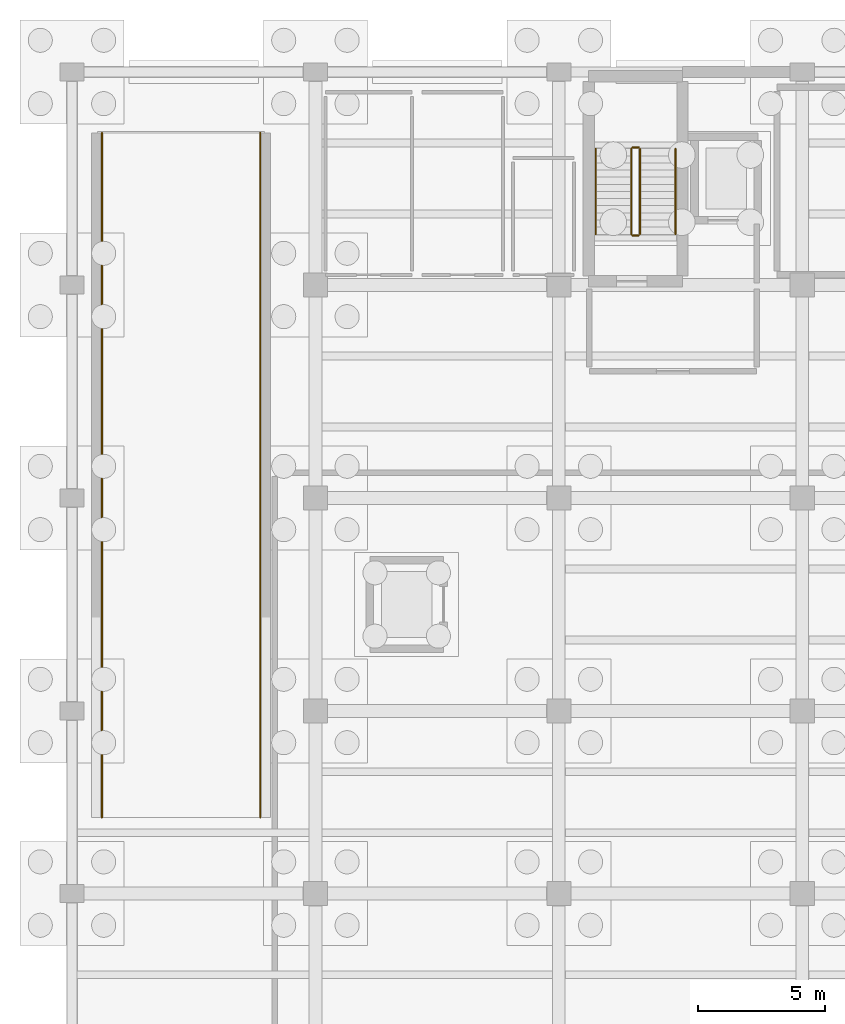
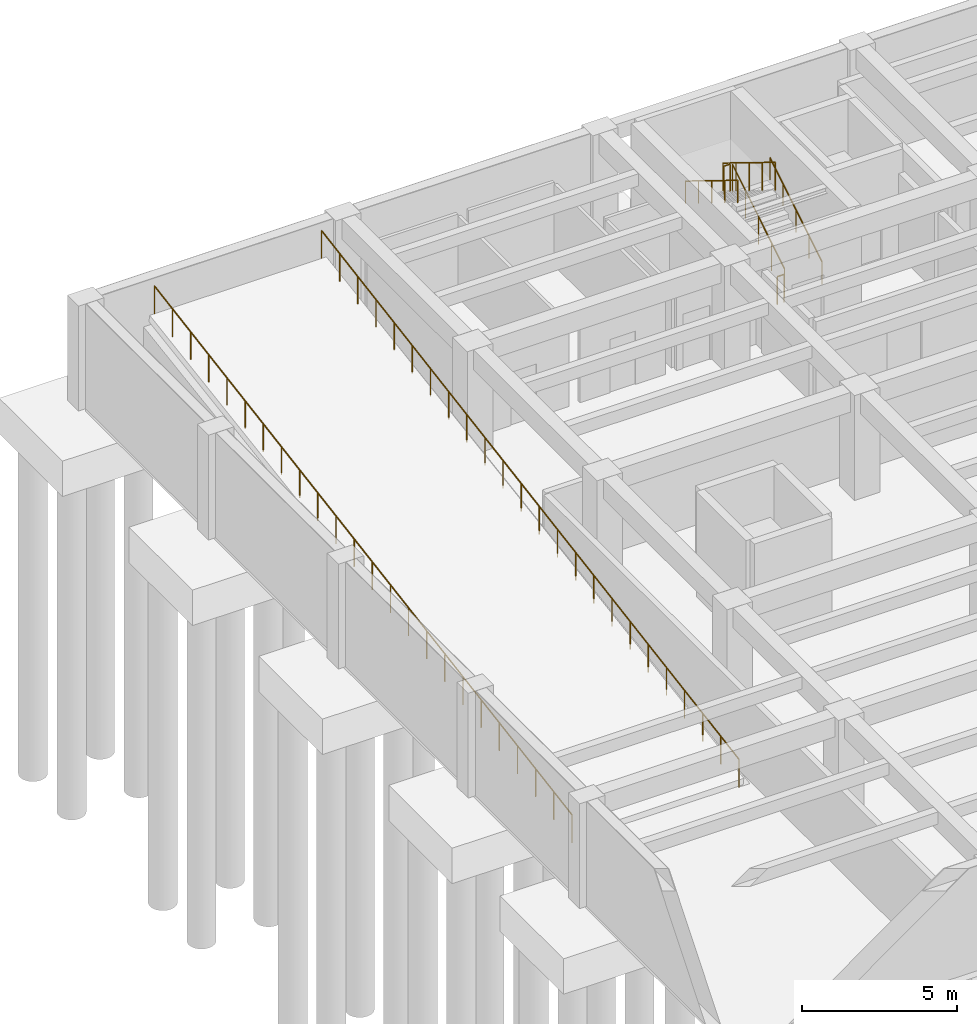
# One storey, part 6 of 8: 8 railings.
"""IFC4 building model written with IfcOpenShell, lengths in metres."""

from ifc_helpers import new_model, si_unit, direction, frame, origin, origin_2d, place, context, subcontext, project, spatial, circle, extrude, material, type_object, element, save


model = new_model("IFC4")

# Units and contexts
model_context = context("Model", 3, precision=1e-05, world=origin(), true_north=direction((0.0, 1.0)))
body_context = subcontext(model_context, "Body", "Model", "MODEL_VIEW")
ifc_project = project(units=[si_unit("LENGTHUNIT", "METRE"), si_unit("AREAUNIT", "SQUARE_METRE"), si_unit("VOLUMEUNIT", "CUBIC_METRE"), si_unit("PLANEANGLEUNIT", "RADIAN"), si_unit("MASSUNIT", "GRAM", prefix="KILO")], contexts=[model_context])

# Site, building, storey
site_placement = place(None, origin())
site = spatial("IfcSite", under=ifc_project, at=site_placement, CompositionType="ELEMENT")
building_placement = place(site_placement, origin())
building = spatial("IfcBuilding", under=site, at=building_placement, Name="Bempovik Park Faculty of Sciences", CompositionType="ELEMENT")
storey_placement = place(building_placement, frame((0.0, 0.0, -4.5)))
storey = spatial("IfcBuildingStorey", under=building, at=storey_placement, Name="B1", CompositionType="ELEMENT", Elevation=-4.5)

# Railings
ifc_material = material(Name="Anodised architectural bronze")
railing_type_1 = type_object("IfcRailingType", Name="GR-01 Guardrail 1120mm", PredefinedType="GUARDRAIL", material=ifc_material)
railing_1_placement = place(storey_placement, frame((51.580078125, 90.0, 0.0)))
element("IfcRailing", 1, at=railing_1_placement, inside=storey, type_object=railing_type_1, Name="Basement Vehicle Ramp West Guardrail", PredefinedType="GUARDRAIL", context=body_context, shape_type="SweptSolid", body=[
    extrude(circle(Radius=0.02392578125, at=origin_2d()), frame((0.0, 0.0, 1.09619140625), z_axis=(0.0, 0.986393923832, 0.164398987305), x_axis=(-1.0, 0.0, 0.0)), (0.0, 0.0, 1.0), 27.372314453125),
    extrude(circle(Radius=0.02099609375, at=origin_2d()), origin(), (0.0, 0.0, 1.0), 1.072021484375),
    extrude(circle(Radius=0.02099609375, at=origin_2d()), frame((0.0, 1.173828125, 0.195556640625)), (0.0, 0.0, 1.0), 1.072021484375),
    extrude(circle(Radius=0.02099609375, at=origin_2d()), frame((0.0, 2.347900390625, 0.391357421875)), (0.0, 0.0, 1.0), 1.072021484375),
    extrude(circle(Radius=0.02099609375, at=origin_2d()), frame((0.0, 3.521728515625, 0.5869140625)), (0.0, 0.0, 1.0), 1.072021484375),
    extrude(circle(Radius=0.02099609375, at=origin_2d()), frame((0.0, 4.695556640625, 0.78271484375)), (0.0, 0.0, 1.0), 1.072021484375),
    extrude(circle(Radius=0.02099609375, at=origin_2d()), frame((0.0, 5.86962890625, 0.978271484375)), (0.0, 0.0, 1.0), 1.072021484375),
    extrude(circle(Radius=0.02099609375, at=origin_2d()), frame((0.0, 7.04345703125, 1.173828125)), (0.0, 0.0, 1.0), 1.072021484375),
    extrude(circle(Radius=0.02099609375, at=origin_2d()), frame((0.0, 8.21728515625, 1.36962890625)), (0.0, 0.0, 1.0), 1.072021484375),
    extrude(circle(Radius=0.02099609375, at=origin_2d()), frame((0.0, 9.391357421875, 1.565185546875)), (0.0, 0.0, 1.0), 1.072021484375),
    extrude(circle(Radius=0.02099609375, at=origin_2d()), frame((0.0, 10.565185546875, 1.760986328125)), (0.0, 0.0, 1.0), 1.072021484375),
    extrude(circle(Radius=0.02099609375, at=origin_2d()), frame((0.0, 11.739013671875, 1.95654296875)), (0.0, 0.0, 1.0), 1.072021484375),
    extrude(circle(Radius=0.02099609375, at=origin_2d()), frame((0.0, 12.9130859375, 2.152099609375)), (0.0, 0.0, 1.0), 1.072021484375),
    extrude(circle(Radius=0.02099609375, at=origin_2d()), frame((0.0, 14.0869140625, 2.347900390625)), (0.0, 0.0, 1.0), 1.072021484375),
    extrude(circle(Radius=0.02099609375, at=origin_2d()), frame((0.0, 15.260986328125, 2.54345703125)), (0.0, 0.0, 1.0), 1.072021484375),
    extrude(circle(Radius=0.02099609375, at=origin_2d()), frame((0.0, 16.434814453125, 2.739013671875)), (0.0, 0.0, 1.0), 1.072021484375),
    extrude(circle(Radius=0.02099609375, at=origin_2d()), frame((0.0, 17.608642578125, 2.934814453125)), (0.0, 0.0, 1.0), 1.072021484375),
    extrude(circle(Radius=0.02099609375, at=origin_2d()), frame((0.0, 18.78271484375, 3.13037109375)), (0.0, 0.0, 1.0), 1.072021484375),
    extrude(circle(Radius=0.02099609375, at=origin_2d()), frame((0.0, 19.95654296875, 3.326171875)), (0.0, 0.0, 1.0), 1.072021484375),
    extrude(circle(Radius=0.02099609375, at=origin_2d()), frame((0.0, 21.13037109375, 3.521728515625)), (0.0, 0.0, 1.0), 1.072021484375),
    extrude(circle(Radius=0.02099609375, at=origin_2d()), frame((0.0, 22.304443359375, 3.71728515625)), (0.0, 0.0, 1.0), 1.072021484375),
    extrude(circle(Radius=0.02099609375, at=origin_2d()), frame((0.0, 23.478271484375, 3.9130859375)), (0.0, 0.0, 1.0), 1.072021484375),
    extrude(circle(Radius=0.02099609375, at=origin_2d()), frame((0.0, 24.652099609375, 4.108642578125)), (0.0, 0.0, 1.0), 1.072021484375),
    extrude(circle(Radius=0.02099609375, at=origin_2d()), frame((0.0, 25.826171875, 4.304443359375)), (0.0, 0.0, 1.0), 1.072021484375),
    extrude(circle(Radius=0.02099609375, at=origin_2d()), frame((0.0, 27.0, 4.5)), (0.0, 0.0, 1.0), 1.072021484375),
])
railing_2_placement = place(storey_placement, frame((57.820068359375, 90.0, 0.0)))
element("IfcRailing", 2, at=railing_2_placement, inside=storey, type_object=railing_type_1, Name="Basement Vehicle Ramp East Guardrail", PredefinedType="GUARDRAIL", context=body_context, shape_type="SweptSolid", body=[
    extrude(circle(Radius=0.02392578125, at=origin_2d()), frame((0.0, 0.0, 1.09619140625), z_axis=(0.0, 0.986393923832, 0.164398987305), x_axis=(-1.0, 0.0, 0.0)), (0.0, 0.0, 1.0), 27.372314453125),
    extrude(circle(Radius=0.02099609375, at=origin_2d()), origin(), (0.0, 0.0, 1.0), 1.072021484375),
    extrude(circle(Radius=0.02099609375, at=origin_2d()), frame((0.0, 1.173828125, 0.195556640625)), (0.0, 0.0, 1.0), 1.072021484375),
    extrude(circle(Radius=0.02099609375, at=origin_2d()), frame((0.0, 2.347900390625, 0.391357421875)), (0.0, 0.0, 1.0), 1.072021484375),
    extrude(circle(Radius=0.02099609375, at=origin_2d()), frame((0.0, 3.521728515625, 0.5869140625)), (0.0, 0.0, 1.0), 1.072021484375),
    extrude(circle(Radius=0.02099609375, at=origin_2d()), frame((0.0, 4.695556640625, 0.78271484375)), (0.0, 0.0, 1.0), 1.072021484375),
    extrude(circle(Radius=0.02099609375, at=origin_2d()), frame((0.0, 5.86962890625, 0.978271484375)), (0.0, 0.0, 1.0), 1.072021484375),
    extrude(circle(Radius=0.02099609375, at=origin_2d()), frame((0.0, 7.04345703125, 1.173828125)), (0.0, 0.0, 1.0), 1.072021484375),
    extrude(circle(Radius=0.02099609375, at=origin_2d()), frame((0.0, 8.21728515625, 1.36962890625)), (0.0, 0.0, 1.0), 1.072021484375),
    extrude(circle(Radius=0.02099609375, at=origin_2d()), frame((0.0, 9.391357421875, 1.565185546875)), (0.0, 0.0, 1.0), 1.072021484375),
    extrude(circle(Radius=0.02099609375, at=origin_2d()), frame((0.0, 10.565185546875, 1.760986328125)), (0.0, 0.0, 1.0), 1.072021484375),
    extrude(circle(Radius=0.02099609375, at=origin_2d()), frame((0.0, 11.739013671875, 1.95654296875)), (0.0, 0.0, 1.0), 1.072021484375),
    extrude(circle(Radius=0.02099609375, at=origin_2d()), frame((0.0, 12.9130859375, 2.152099609375)), (0.0, 0.0, 1.0), 1.072021484375),
    extrude(circle(Radius=0.02099609375, at=origin_2d()), frame((0.0, 14.0869140625, 2.347900390625)), (0.0, 0.0, 1.0), 1.072021484375),
    extrude(circle(Radius=0.02099609375, at=origin_2d()), frame((0.0, 15.260986328125, 2.54345703125)), (0.0, 0.0, 1.0), 1.072021484375),
    extrude(circle(Radius=0.02099609375, at=origin_2d()), frame((0.0, 16.434814453125, 2.739013671875)), (0.0, 0.0, 1.0), 1.072021484375),
    extrude(circle(Radius=0.02099609375, at=origin_2d()), frame((0.0, 17.608642578125, 2.934814453125)), (0.0, 0.0, 1.0), 1.072021484375),
    extrude(circle(Radius=0.02099609375, at=origin_2d()), frame((0.0, 18.78271484375, 3.13037109375)), (0.0, 0.0, 1.0), 1.072021484375),
    extrude(circle(Radius=0.02099609375, at=origin_2d()), frame((0.0, 19.95654296875, 3.326171875)), (0.0, 0.0, 1.0), 1.072021484375),
    extrude(circle(Radius=0.02099609375, at=origin_2d()), frame((0.0, 21.13037109375, 3.521728515625)), (0.0, 0.0, 1.0), 1.072021484375),
    extrude(circle(Radius=0.02099609375, at=origin_2d()), frame((0.0, 22.304443359375, 3.71728515625)), (0.0, 0.0, 1.0), 1.072021484375),
    extrude(circle(Radius=0.02099609375, at=origin_2d()), frame((0.0, 23.478271484375, 3.9130859375)), (0.0, 0.0, 1.0), 1.072021484375),
    extrude(circle(Radius=0.02099609375, at=origin_2d()), frame((0.0, 24.652099609375, 4.108642578125)), (0.0, 0.0, 1.0), 1.072021484375),
    extrude(circle(Radius=0.02099609375, at=origin_2d()), frame((0.0, 25.826171875, 4.304443359375)), (0.0, 0.0, 1.0), 1.072021484375),
    extrude(circle(Radius=0.02099609375, at=origin_2d()), frame((0.0, 27.0, 4.5)), (0.0, 0.0, 1.0), 1.072021484375),
])
railing_3_placement = place(storey_placement, frame((72.800048828125, 113.0, 0.173095703125)))
element("IfcRailing", 3, at=railing_3_placement, inside=storey, type_object=railing_type_1, Name="B1 ST-1 Stair Guard 1", PredefinedType="GUARDRAIL", context=body_context, shape_type="SweptSolid", body=[
    extrude(circle(Radius=0.02392578125, at=origin_2d()), frame((0.0, 0.0, 1.09619140625), z_axis=(0.0, 0.851660431972, 0.524093988338), x_axis=(-1.0, 0.0, 0.0)), (0.0, 0.0, 1.0), 3.962890625),
    extrude(circle(Radius=0.02099609375, at=origin_2d()), origin(), (0.0, 0.0, 1.0), 1.072021484375),
    extrude(circle(Radius=0.02099609375, at=origin_2d()), frame((0.0, 0.84375, 0.519287109375)), (0.0, 0.0, 1.0), 1.072021484375),
    extrude(circle(Radius=0.02099609375, at=origin_2d()), frame((0.0, 1.6875, 1.03857421875)), (0.0, 0.0, 1.0), 1.072021484375),
    extrude(circle(Radius=0.02099609375, at=origin_2d()), frame((0.0, 2.53125, 1.5576171875)), (0.0, 0.0, 1.0), 1.072021484375),
    extrude(circle(Radius=0.02099609375, at=origin_2d()), frame((0.0, 3.375, 2.076904296875)), (0.0, 0.0, 1.0), 1.072021484375),
])
railing_4_placement = place(storey_placement, frame((72.75, 116.425048828125, 2.25)))
element("IfcRailing", 4, at=railing_4_placement, inside=storey, type_object=railing_type_1, Name="B1 ST-1 Stair Guard 2", PredefinedType="GUARDRAIL", context=body_context, shape_type="SweptSolid", body=[
    extrude(circle(Radius=0.02392578125, at=origin_2d()), frame((0.0, 0.0, 1.09619140625), z_axis=(-1.0, 0.0, 0.0), x_axis=(0.0, -1.0, 0.0)), (0.0, 0.0, 1.0), 0.25),
    extrude(circle(Radius=0.02099609375, at=origin_2d()), origin(), (0.0, 0.0, 1.0), 1.072021484375),
    extrude(circle(Radius=0.02099609375, at=origin_2d()), frame((-0.25, 0.0, 0.0)), (0.0, 0.0, 1.0), 1.072021484375),
])
railing_5_placement = place(storey_placement, frame((72.449951171875, 116.375, 2.423095703125)))
element("IfcRailing", 5, at=railing_5_placement, inside=storey, type_object=railing_type_1, Name="B1 ST-1 Stair Guard 3", PredefinedType="GUARDRAIL", context=body_context, shape_type="SweptSolid", body=[
    extrude(circle(Radius=0.02392578125, at=origin_2d()), frame((0.0, 0.0, 1.09619140625), z_axis=(0.0, -0.851660431972, 0.524093988338), x_axis=(1.0, 0.0, 0.0)), (0.0, 0.0, 1.0), 3.962890625),
    extrude(circle(Radius=0.02099609375, at=origin_2d()), origin(), (0.0, 0.0, 1.0), 1.072021484375),
    extrude(circle(Radius=0.02099609375, at=origin_2d()), frame((0.0, -0.84375, 0.519287109375)), (0.0, 0.0, 1.0), 1.072021484375),
    extrude(circle(Radius=0.02099609375, at=origin_2d()), frame((0.0, -1.6875, 1.03857421875)), (0.0, 0.0, 1.0), 1.072021484375),
    extrude(circle(Radius=0.02099609375, at=origin_2d()), frame((0.0, -2.53125, 1.5576171875)), (0.0, 0.0, 1.0), 1.072021484375),
    extrude(circle(Radius=0.02099609375, at=origin_2d()), frame((0.0, -3.375, 2.076904296875)), (0.0, 0.0, 1.0), 1.072021484375),
])
railing_6_placement = place(storey_placement, frame((72.75, 112.949951171875, 0.0)))
element("IfcRailing", 6, at=railing_6_placement, inside=storey, type_object=railing_type_1, Name="B1 ST-1 Stair Guard 4", PredefinedType="GUARDRAIL", context=body_context, shape_type="SweptSolid", body=[
    extrude(circle(Radius=0.02392578125, at=origin_2d()), frame((0.0, 0.0, 1.09619140625), z_axis=(-1.0, 0.0, 0.0), x_axis=(0.0, -1.0, 0.0)), (0.0, 0.0, 1.0), 0.25),
    extrude(circle(Radius=0.02099609375, at=origin_2d()), origin(), (0.0, 0.0, 1.0), 1.072021484375),
    extrude(circle(Radius=0.02099609375, at=origin_2d()), frame((-0.25, 0.0, 0.0)), (0.0, 0.0, 1.0), 1.072021484375),
])
railing_type_2 = type_object("IfcRailingType", Name="HR-01 Wall Handrail 900mm", PredefinedType="HANDRAIL", material=ifc_material)
railing_7_placement = place(storey_placement, frame((74.199951171875, 113.0, 0.173095703125)))
element("IfcRailing", 7, at=railing_7_placement, inside=storey, type_object=railing_type_2, Name="B1 ST-1 Stair Handrail 1", PredefinedType="HANDRAIL", context=body_context, shape_type="SweptSolid", body=[
    extrude(circle(Radius=0.02392578125, at=origin_2d()), frame((0.0, 0.0, 0.8759765625), z_axis=(0.0, 0.851660431972, 0.524093988338), x_axis=(-1.0, 0.0, 0.0)), (0.0, 0.0, 1.0), 3.962890625),
    extrude(circle(Radius=0.02099609375, at=origin_2d()), origin(), (0.0, 0.0, 1.0), 0.851806640625),
    extrude(circle(Radius=0.02099609375, at=origin_2d()), frame((0.0, 0.84375, 0.519287109375)), (0.0, 0.0, 1.0), 0.851806640625),
    extrude(circle(Radius=0.02099609375, at=origin_2d()), frame((0.0, 1.6875, 1.03857421875)), (0.0, 0.0, 1.0), 0.851806640625),
    extrude(circle(Radius=0.02099609375, at=origin_2d()), frame((0.0, 2.53125, 1.5576171875)), (0.0, 0.0, 1.0), 0.851806640625),
    extrude(circle(Radius=0.02099609375, at=origin_2d()), frame((0.0, 3.375, 2.076904296875)), (0.0, 0.0, 1.0), 0.851806640625),
])
railing_8_placement = place(storey_placement, frame((71.050048828125, 116.375, 2.423095703125)))
element("IfcRailing", 8, at=railing_8_placement, inside=storey, type_object=railing_type_2, Name="B1 ST-1 Stair Handrail 2", PredefinedType="HANDRAIL", context=body_context, shape_type="SweptSolid", body=[
    extrude(circle(Radius=0.02392578125, at=origin_2d()), frame((0.0, 0.0, 0.8759765625), z_axis=(0.0, -0.851660431972, 0.524093988338), x_axis=(1.0, 0.0, 0.0)), (0.0, 0.0, 1.0), 3.962890625),
    extrude(circle(Radius=0.02099609375, at=origin_2d()), origin(), (0.0, 0.0, 1.0), 0.851806640625),
    extrude(circle(Radius=0.02099609375, at=origin_2d()), frame((0.0, -0.84375, 0.519287109375)), (0.0, 0.0, 1.0), 0.851806640625),
    extrude(circle(Radius=0.02099609375, at=origin_2d()), frame((0.0, -1.6875, 1.03857421875)), (0.0, 0.0, 1.0), 0.851806640625),
    extrude(circle(Radius=0.02099609375, at=origin_2d()), frame((0.0, -2.53125, 1.5576171875)), (0.0, 0.0, 1.0), 0.851806640625),
    extrude(circle(Radius=0.02099609375, at=origin_2d()), frame((0.0, -3.375, 2.076904296875)), (0.0, 0.0, 1.0), 0.851806640625),
])

save(model, "model.ifc")
